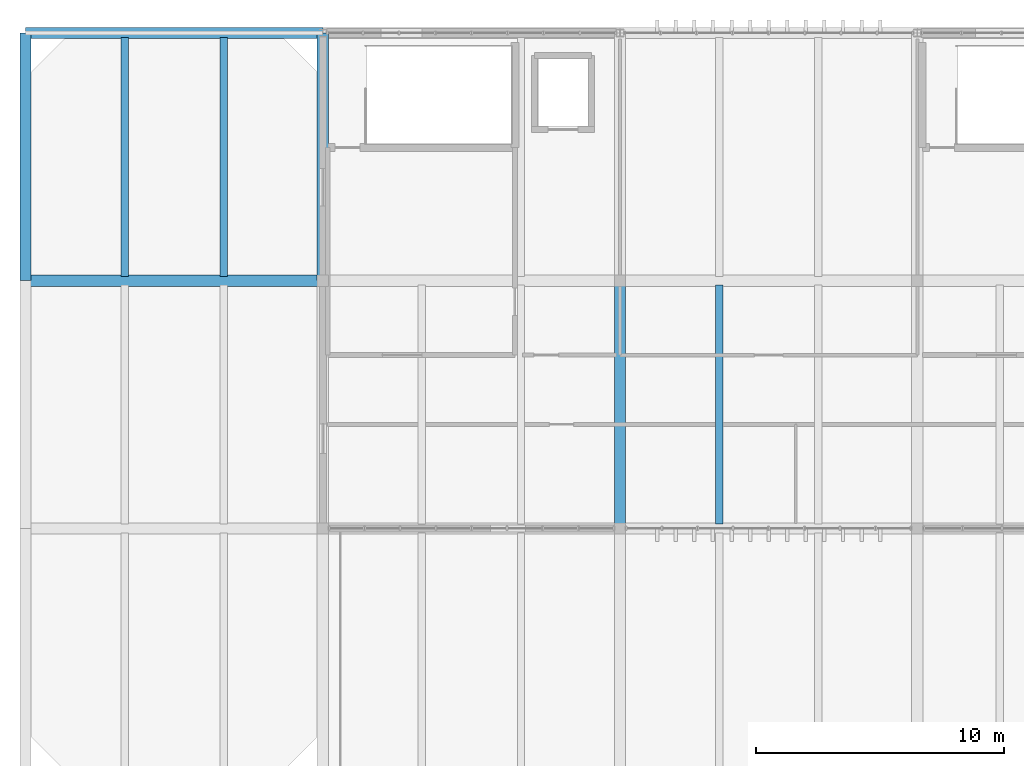
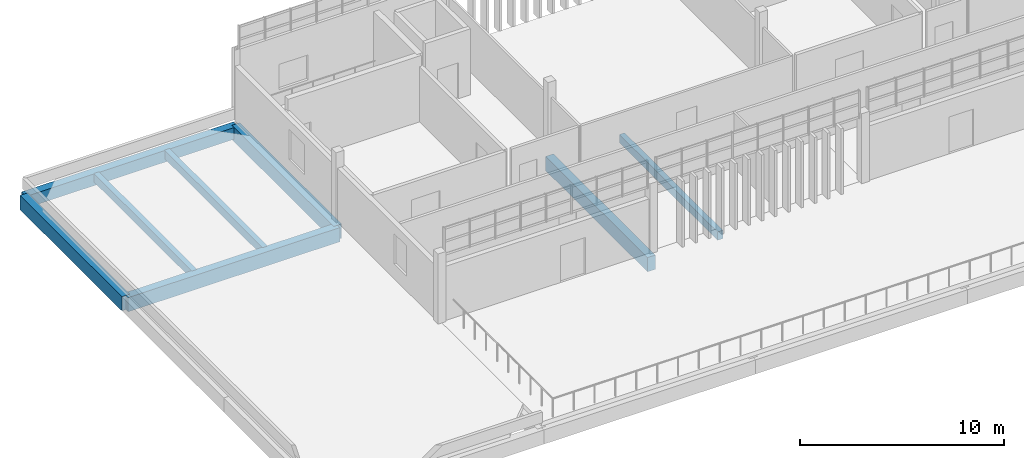
# One storey, part 9 of 36: 8 beams.
"""IFC4 building model written with IfcOpenShell, lengths in metres."""

from ifc_helpers import new_model, si_unit, direction, frame, origin, origin_2d, place, context, subcontext, project, spatial, rectangle, extrude, material, material_profile, profile_set, type_object, element, save


model = new_model("IFC4")

# Units and contexts
model_context = context("Model", 3, precision=1e-05, world=origin(), true_north=direction((0.0, 1.0)))
body_context = subcontext(model_context, "Body", "Model", "MODEL_VIEW")
ifc_project = project(units=[si_unit("LENGTHUNIT", "METRE"), si_unit("AREAUNIT", "SQUARE_METRE"), si_unit("VOLUMEUNIT", "CUBIC_METRE"), si_unit("PLANEANGLEUNIT", "RADIAN"), si_unit("MASSUNIT", "GRAM", prefix="KILO")], contexts=[model_context])

# Site, building, storey
site_placement = place(None, origin())
site = spatial("IfcSite", under=ifc_project, at=site_placement, CompositionType="ELEMENT")
building_placement = place(site_placement, origin())
building = spatial("IfcBuilding", under=site, at=building_placement, Name="Mersad Railyard Sports Hall", CompositionType="ELEMENT")
storey_placement = place(building_placement, frame((0.0, 0.0, 21.60009765625)))
storey = spatial("IfcBuildingStorey", under=building, at=storey_placement, Name="L05", CompositionType="ELEMENT", Elevation=21.60009765625)

# Beams
ifc_material_1 = material(Name="Concrete C40/50", Category="concrete")
ifc_material_profile_1 = material_profile(ifc_material_1, rectangle(XDim=0.449951171875, YDim=0.85009765625, at=origin_2d()), Name="RC 450x850")
ifc_profile_set_1 = profile_set([ifc_material_profile_1], Name="Concrete C40/50")
beam_type_1 = type_object("IfcBeamType", Name="STR-BM-B02", PredefinedType="BEAM", material=ifc_profile_set_1)
beam_1_placement = place(storey_placement, frame((55.0, 105.0, -0.775146484375), z_axis=(1.0, 0.0, 0.0), x_axis=(0.0, 1.0, 0.0)))
element("IfcBeam", 1, at=beam_1_placement, inside=storey, type_object=beam_type_1, Name="Beam B02-1415", PredefinedType="BEAM", context=body_context, shape_type="SweptSolid", body=[
    extrude(rectangle(XDim=0.449951171875, YDim=0.85009765625, at=origin_2d()), origin(), (0.0, 0.0, 1.0), 12.0),
])
for number, where, z_axis, x_axis, name in (
    (2, (55.0, 105.0, -0.775146484375), (0.0, 1.0, 0.0), (-1.0, 0.0, 0.0), "Beam B02-1429"),
    (3, (67.0, 105.0, -0.775146484375), (0.0, 1.0, 0.0), (-1.0, 0.0, 0.0), "Beam B02-1432"),
    (4, (79.0, 95.0, -0.775146484375), (0.0, 1.0, 0.0), (-1.0, 0.0, 0.0), "Beam B02-1434"),
):
    element("IfcBeam", number, at=place(storey_placement, frame(where, z_axis=z_axis, x_axis=x_axis)), inside=storey, type_object=beam_type_1, Name=name, PredefinedType="BEAM", context=body_context, shape_type="SweptSolid", body=[
        extrude(rectangle(XDim=0.449951171875, YDim=0.85009765625, at=origin_2d()), origin(), (0.0, 0.0, 1.0), 10.0),
    ])
ifc_material_profile_2 = material_profile(ifc_material_1, rectangle(XDim=0.300048828125, YDim=0.5, at=origin_2d()), Name="RC 300x500")
ifc_profile_set_2 = profile_set([ifc_material_profile_2], Name="Concrete C40/50")
beam_type_2 = type_object("IfcBeamType", Name="STR-BM-LN01", PredefinedType="LINTEL", material=ifc_profile_set_2)
for number, where, z_axis, x_axis, name in (
    (5, (59.0, 105.179931640625, -0.60009765625), (0.0, 1.0, 0.0), (-1.0, 0.0, 0.0), "Beam LN01-1452"),
    (6, (63.0, 105.179931640625, -0.60009765625), (0.0, 1.0, 0.0), (-1.0, 0.0, 0.0), "Beam LN01-1453"),
    (7, (83.0, 95.179931640625, -0.60009765625), (0.0, 1.0, 0.0), (-1.0, 0.0, 0.0), "Beam LN01-1461"),
):
    element("IfcBeam", number, at=place(storey_placement, frame(where, z_axis=z_axis, x_axis=x_axis)), inside=storey, type_object=beam_type_2, Name=name, PredefinedType="LINTEL", context=body_context, shape_type="SweptSolid", body=[
        extrude(rectangle(XDim=0.300048828125, YDim=0.5, at=origin_2d()), origin(), (0.0, 0.0, 1.0), 9.64013671875),
    ])
ifc_material_2 = material(Name="Architectural concrete C40/50", Category="concrete")
ifc_material_profile_3 = material_profile(ifc_material_2, rectangle(XDim=0.449951171875, YDim=0.699951171875, at=origin_2d()), Name="RC 450x700")
ifc_profile_set_3 = profile_set([ifc_material_profile_3], Name="Architectural concrete C40/50")
beam_type_3 = type_object("IfcBeamType", Name="STR-BM-SP01", PredefinedType="SPANDREL", material=ifc_profile_set_3)
beam_2_placement = place(storey_placement, frame((55.0, 115.0, -0.7001953125), z_axis=(1.0, 0.0, 0.0), x_axis=(0.0, 1.0, 0.0)))
element("IfcBeam", 8, at=beam_2_placement, inside=storey, type_object=beam_type_3, Name="Beam SP01-1421", PredefinedType="SPANDREL", context=body_context, shape_type="SweptSolid", body=[
    extrude(rectangle(XDim=0.449951171875, YDim=0.699951171875, at=origin_2d()), origin(), (0.0, 0.0, 1.0), 12.0),
])

save(model, "model.ifc")
